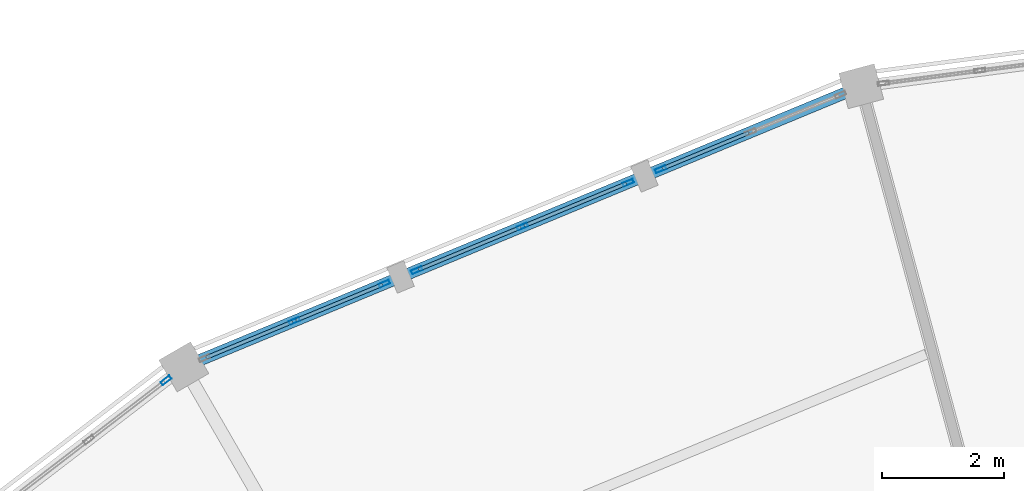
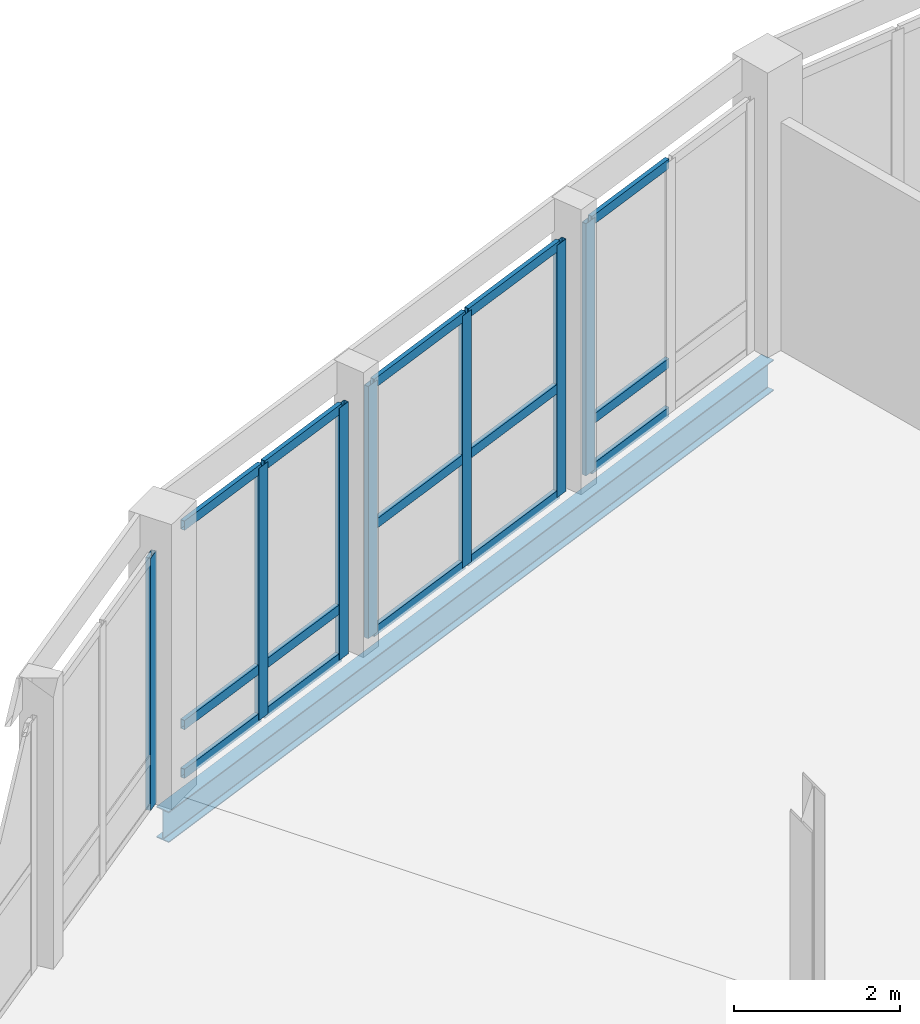
# One storey, part 76 of 170: 22 members, 1 beam, 4 elements without a shape of their own.
"""IFC4 building model written with IfcOpenShell, lengths in metres."""

import ifcopenshell
import ifcopenshell.guid

model = None  # the IFC model being written
_history = None  # IfcOwnerHistory: only IFC2X3 demands one
_inside = {}  # id of a spatial element -> (the spatial element, [elements in it])
_under = {}  # id of a project, library or spatial element -> (it, [spatial elements below it])
_declared = {}  # id of a project -> (the project, [libraries it declares])
_typed = {}  # id of a type object -> (the type object, [elements of that type])
_made_of = {}  # id of a material, layer set ... -> (it, [elements and type objects made of it])


def new_model(schema):
    """Start an empty IFC model of exactly this schema.

    Asked for "IFC4X3", IfcOpenShell would pick the latest addendum, in which some entities
    have other attributes; the version numbers below select the first issue.
    IFC2X3 requires an IfcOwnerHistory on every rooted entity: one is made here for all.
    """
    global model, _history
    if schema == "IFC4X3":
        model = ifcopenshell.file(schema_version=(4, 3, 0, 0))
    else:
        model = ifcopenshell.file(schema=schema)
    _inside.clear()
    _under.clear()
    _declared.clear()
    _typed.clear()
    _made_of.clear()
    _history = None
    if model.schema == "IFC2X3":
        org = make("IfcOrganization", Name="unknown")
        user = make(
            "IfcPersonAndOrganization",
            ThePerson=make("IfcPerson", FamilyName="unknown"),
            TheOrganization=org,
        )
        app = make(
            "IfcApplication",
            ApplicationDeveloper=org,
            Version="unknown",
            ApplicationFullName="unknown",
            ApplicationIdentifier="unknown",
        )
        _history = make(
            "IfcOwnerHistory",
            OwningUser=user,
            OwningApplication=app,
            ChangeAction="ADDED",
            CreationDate=0,
        )
    return model


def make(cls, **values):
    """One entity of the class cls with the attributes given. An attribute that is None is left unset."""
    return model.create_entity(
        cls, **{name: value for name, value in values.items() if value is not None}
    )


def rooted(cls, **values):
    """An entity with a GlobalId (a new one), such as an element, a storey or a relation."""
    return make(cls, GlobalId=ifcopenshell.guid.new(), OwnerHistory=_history, **values)


def si_unit(unit_type, name, prefix=None):
    """IfcSIUnit, for example si_unit("LENGTHUNIT", "METRE", prefix="MILLI")."""
    return make("IfcSIUnit", UnitType=unit_type, Prefix=prefix, Name=name)


def assignment(units):
    """IfcUnitAssignment: the units of a project."""
    return None if units is None else make("IfcUnitAssignment", Units=units)


def point(xyz):
    """IfcCartesianPoint."""
    return None if xyz is None else make("IfcCartesianPoint", Coordinates=xyz)


def direction(xyz):
    """IfcDirection."""
    return None if xyz is None else make("IfcDirection", DirectionRatios=xyz)


def frame(location, z_axis=None, x_axis=None):
    """IfcAxis2Placement3D, a coordinate frame: its origin and axes. An axis left out is left unset."""
    return make(
        "IfcAxis2Placement3D",
        Location=point(location),
        Axis=direction(z_axis),
        RefDirection=direction(x_axis),
    )


def frame_2d(location, x_axis=None):
    """IfcAxis2Placement2D, a coordinate frame in the plane: its origin and x axis."""
    return make(
        "IfcAxis2Placement2D", Location=point(location), RefDirection=direction(x_axis)
    )


def origin():
    """The frame at (0, 0, 0) with its axes left unset."""
    return frame((0.0, 0.0, 0.0))


def origin_2d():
    """The frame at (0, 0) in the plane with its x axis left unset."""
    return frame_2d((0.0, 0.0))


def place(relative_to, where):
    """IfcLocalPlacement: puts the frame where relative to a parent placement (None: the world)."""
    return make(
        "IfcLocalPlacement", PlacementRelTo=relative_to, RelativePlacement=where
    )


def context(
    kind, dimensions, precision=None, world=None, true_north=None, identifier=None
):
    """IfcGeometricRepresentationContext, for example the 3D "Model" context."""
    return make(
        "IfcGeometricRepresentationContext",
        ContextIdentifier=identifier,
        ContextType=kind,
        CoordinateSpaceDimension=dimensions,
        Precision=precision,
        WorldCoordinateSystem=world,
        TrueNorth=true_north,
    )


def subcontext(parent, identifier, kind, view, scale=None):
    """IfcGeometricRepresentationSubContext, for example "Body" below "Model"."""
    return make(
        "IfcGeometricRepresentationSubContext",
        ContextIdentifier=identifier,
        ContextType=kind,
        ParentContext=parent,
        TargetScale=scale,
        TargetView=view,
    )


def project(units=None, contexts=None):
    """IfcProject with its units and contexts."""
    return rooted(
        "IfcProject",
        Name="project",
        RepresentationContexts=contexts,
        UnitsInContext=assignment(units),
    )


def spatial(cls, under=None, at=None, **own):
    """A site, building, storey or space (cls), placed at a placement, below another one or the project."""
    s = rooted(cls, ObjectPlacement=at, **own)
    if under is not None:
        _under.setdefault(under.id(), (under, []))[1].append(s)
    return s


def profile(cls, at=None, kind="AREA", **sizes):
    """A parametric profile (cls). Its sizes go by their IFC names, for example OverallWidth=200.0."""
    return make(cls, ProfileType=kind, Position=at, **sizes)


def hollow_rectangle(**sizes):
    """IfcRectangleHollowProfileDef."""
    return profile("IfcRectangleHollowProfileDef", **sizes)


def i_section(**sizes):
    """IfcIShapeProfileDef."""
    return profile("IfcIShapeProfileDef", **sizes)


def extrude(swept, where, along, depth):
    """IfcExtrudedAreaSolid: the profile swept, set in the frame where, extruded along a direction by depth."""
    return make(
        "IfcExtrudedAreaSolid",
        SweptArea=swept,
        Position=where,
        ExtrudedDirection=direction(along),
        Depth=depth,
    )


def shape(context_of_items, identifier, shape_type, items):
    """IfcShapeRepresentation: the items that make up one representation, for example the "Body"."""
    return make(
        "IfcShapeRepresentation",
        ContextOfItems=context_of_items,
        RepresentationIdentifier=identifier,
        RepresentationType=shape_type,
        Items=items,
    )


def material(Name=None, Category=None):
    """IfcMaterial."""
    return make("IfcMaterial", Name=Name, Category=Category)


def material_profile(
    of_material, cross_section, Name=None, Category=None, Priority=None
):
    """IfcMaterialProfile: a cross section and its material."""
    return make(
        "IfcMaterialProfile",
        Name=Name,
        Material=of_material,
        Profile=cross_section,
        Priority=Priority,
        Category=Category,
    )


def profile_set(profiles, Name=None, composite=None):
    """IfcMaterialProfileSet."""
    return make(
        "IfcMaterialProfileSet",
        Name=Name,
        MaterialProfiles=profiles,
        CompositeProfile=composite,
    )


def made_of(thing, what):
    """Note that an element or type object is made of a material, layer set ...; save() writes the relation."""
    if what is not None:
        _made_of.setdefault(what.id(), (what, []))[1].append(thing)
    return thing


def type_object(cls, material=None, **own):
    """A type object (cls), such as IfcWallType, which elements share."""
    return made_of(rooted(cls, **own), material)


def element(
    cls,
    number,
    at=None,
    inside=None,
    cuts=None,
    type_object=None,
    material=None,
    context=None,
    identifier="Body",
    shape_type=None,
    held_by="IfcProductDefinitionShape",
    body=None,
    shapes=None,
    **own,
):
    """One element of the class cls, such as IfcWall. Its Tag is "e" and its number.

    at: its placement. inside: the storey or other place that contains it. cuts: it is an
    opening in that element (IfcRelVoidsElement). A single representation is given by context,
    identifier, shape_type and body (its items); several are given by shapes. held_by: the class
    of the entity that holds the representations. save() writes the other relations.
    """
    e = rooted(cls, Tag="e%d" % number, ObjectPlacement=at, **own)
    if body is not None:
        shapes = [shape(context, identifier, shape_type, body)]
    if shapes is not None:
        e.Representation = make(held_by, Representations=shapes)
    if inside is not None:
        _inside.setdefault(inside.id(), (inside, []))[1].append(e)
    if cuts is not None:
        rooted(
            "IfcRelVoidsElement", RelatingBuildingElement=cuts, RelatedOpeningElement=e
        )
    if type_object is not None:
        _typed.setdefault(type_object.id(), (type_object, []))[1].append(e)
    return made_of(e, material)


def aggregate(whole, parts):
    """IfcRelAggregates: a whole, such as a stair, and the parts it consists of."""
    return rooted("IfcRelAggregates", RelatingObject=whole, RelatedObjects=parts)


def save(model, path):
    """Write the relations noted so far, then the file.

    IfcRelAggregates (storeys below a building ...), IfcRelContainedInSpatialStructure (elements
    in a storey), IfcRelDefinesByType, IfcRelAssociatesMaterial and IfcRelDeclares: one each for
    every whole, place, type object, material and project.
    """
    for whole, parts in _under.values():
        aggregate(whole, parts)
    for where, things in _inside.values():
        rooted(
            "IfcRelContainedInSpatialStructure",
            RelatedElements=things,
            RelatingStructure=where,
        )
    for kind, things in _typed.values():
        rooted("IfcRelDefinesByType", RelatedObjects=things, RelatingType=kind)
    for what, things in _made_of.values():
        rooted("IfcRelAssociatesMaterial", RelatedObjects=things, RelatingMaterial=what)
    for by, libraries in _declared.values():
        rooted("IfcRelDeclares", RelatingContext=by, RelatedDefinitions=libraries)
    model.write(path)


model = new_model("IFC4")

# Units and contexts
model_context = context("Model", 3, precision=1e-05, world=origin(), true_north=direction((0.0, 1.0)))
body_context = subcontext(model_context, "Body", "Model", "MODEL_VIEW")
ifc_project = project(units=[si_unit("LENGTHUNIT", "METRE"), si_unit("AREAUNIT", "SQUARE_METRE"), si_unit("VOLUMEUNIT", "CUBIC_METRE"), si_unit("PLANEANGLEUNIT", "RADIAN"), si_unit("MASSUNIT", "GRAM", prefix="KILO")], contexts=[model_context])

# Site, building, storey
site_placement = place(None, origin())
site = spatial("IfcSite", under=ifc_project, at=site_placement, CompositionType="ELEMENT")
building_placement = place(site_placement, origin())
building = spatial("IfcBuilding", under=site, at=building_placement, Name="Vondelvale Polytechnic", CompositionType="ELEMENT")
storey_placement = place(building_placement, frame((0.0, 0.0, 5.39990234375)))
storey = spatial("IfcBuildingStorey", under=building, at=storey_placement, Name="L01", CompositionType="ELEMENT", Elevation=5.39990234375)

# Beam
ifc_material_1 = material(Name="Steel 300PLUS (fy = 300 MPa)", Category="steel")
ifc_material_profile_1 = material_profile(ifc_material_1, i_section(OverallWidth=0.18994140625, OverallDepth=0.45703125, WebThickness=0.009033203125, FlangeThickness=0.014404296875, FilletRadius=0.011474609375, at=origin_2d()), Name="460UB74.6")
ifc_profile_set_1 = profile_set([ifc_material_profile_1], Name="Steel 300PLUS (fy = 300 MPa)")
beam_type = type_object("IfcBeamType", Name="BM-UB460", PredefinedType="BEAM", material=ifc_profile_set_1)
beam_placement = place(storey_placement, frame((90.09423828125, 116.4326171875, -0.50830078125), z_axis=(-0.923877323614, -0.382688765072, 0.0), x_axis=(0.382688765072, -0.923877323614, 0.0)))
element("IfcBeam", 1, at=beam_placement, inside=storey, type_object=beam_type, Name="L01 RB B-13", PredefinedType="BEAM", context=body_context, shape_type="SweptSolid", body=[
    extrude(i_section(OverallWidth=0.18994140625, OverallDepth=0.45703125, WebThickness=0.009033203125, FlangeThickness=0.014404296875, FilletRadius=0.011474609375, at=origin_2d()), origin(), (0.0, 0.0, 1.0), 12.00830078125),
])

# Curtain wall, member
ifc_material_2 = material(Name="Glulam GL18 structural Tasmanian oak (fb = 42 MPa)", Category="wood")
curtain_wall_type = type_object("IfcCurtainWallType", Name="CW-RING-OUTER", PredefinedType="NOTDEFINED", material=ifc_material_2)
curtain_wall_1_placement = place(storey_placement, origin())
curtain_wall_1 = element("IfcCurtainWall", 2, at=curtain_wall_1_placement, inside=storey, type_object=curtain_wall_type, Name="L01 architectural curtain wall CW-04-176", PredefinedType="NOTDEFINED")
ifc_material_3 = material(Name="Anodised extruded aluminium 6063-T6", Category="aluminium")
ifc_material_profile_2 = material_profile(ifc_material_3, hollow_rectangle(XDim=0.06494140625, YDim=0.179931640625, WallThickness=0.00390625, at=origin_2d()), Name="CW-MUL-180x65")
ifc_profile_set_2 = profile_set([ifc_material_profile_2], Name="Anodised extruded aluminium 6063-T6")
member_type_1 = type_object("IfcMemberType", Name="CW-MUL-65x180", PredefinedType="MULLION", material=ifc_profile_set_2)
member_1_placement = place(storey_placement, frame((86.809814453125, 115.072021484375, 0.0), z_axis=(0.0, 0.0, 1.0), x_axis=(0.382677394529, -0.923882033442, 0.0)))
member_1 = element("IfcMember", 3, at=member_1_placement, type_object=member_type_1, Name="CW-04-176 mullion 3", PredefinedType="MULLION", context=body_context, shape_type="SweptSolid", body=[
    extrude(hollow_rectangle(XDim=0.06494140625, YDim=0.179931640625, WallThickness=0.00390625, at=origin_2d()), origin(), (0.0, 0.0, 1.0), 3.72021484375),
])

# Curtain wall, members
curtain_wall_2_placement = place(storey_placement, origin())
curtain_wall_2 = element("IfcCurtainWall", 4, at=curtain_wall_2_placement, inside=storey, type_object=curtain_wall_type, Name="L01 architectural curtain wall CW-04-177", PredefinedType="NOTDEFINED")
member_2_placement = place(storey_placement, frame((86.278564453125, 114.85205078125, 0.0), z_axis=(0.0, 0.0, 1.0), x_axis=(0.382694599123, -0.92387490701, 0.0)))
member_2 = element("IfcMember", 5, at=member_2_placement, type_object=member_type_1, Name="CW-04-177 mullion 1", PredefinedType="MULLION", context=body_context, shape_type="SweptSolid", body=[
    extrude(hollow_rectangle(XDim=0.06494140625, YDim=0.179931640625, WallThickness=0.00390625, at=origin_2d()), origin(), (0.0, 0.0, 1.0), 3.72021484375),
])
member_3_placement = place(storey_placement, frame((84.547119140625, 114.135009765625, 0.0), z_axis=(0.0, 0.0, 1.0), x_axis=(0.382694599123, -0.92387490701, 0.0)))
member_3 = element("IfcMember", 6, at=member_3_placement, type_object=member_type_1, Name="CW-04-177 mullion 2", PredefinedType="MULLION", context=body_context, shape_type="SweptSolid", body=[
    extrude(hollow_rectangle(XDim=0.06494140625, YDim=0.179931640625, WallThickness=0.00390625, at=origin_2d()), origin(), (0.0, 0.0, 1.0), 3.72021484375),
])
member_4_placement = place(storey_placement, frame((82.81591796875, 113.417724609375, 0.0), z_axis=(0.0, 0.0, 1.0), x_axis=(0.382694599123, -0.92387490701, 0.0)))
member_4 = element("IfcMember", 7, at=member_4_placement, type_object=member_type_1, Name="CW-04-177 mullion 3", PredefinedType="MULLION", context=body_context, shape_type="SweptSolid", body=[
    extrude(hollow_rectangle(XDim=0.06494140625, YDim=0.179931640625, WallThickness=0.00390625, at=origin_2d()), origin(), (0.0, 0.0, 1.0), 3.72021484375),
])

curtain_wall_3_placement = place(storey_placement, origin())
curtain_wall_3 = element("IfcCurtainWall", 8, at=curtain_wall_3_placement, inside=storey, type_object=curtain_wall_type, Name="L01 architectural curtain wall CW-04-178", PredefinedType="NOTDEFINED")
member_5_placement = place(storey_placement, frame((82.28466796875, 113.19775390625, 0.0), z_axis=(0.0, 0.0, 1.0), x_axis=(0.382677394529, -0.923882033442, 0.0)))
member_5 = element("IfcMember", 9, at=member_5_placement, type_object=member_type_1, Name="CW-04-178 mullion 1", PredefinedType="MULLION", context=body_context, shape_type="SweptSolid", body=[
    extrude(hollow_rectangle(XDim=0.06494140625, YDim=0.179931640625, WallThickness=0.00390625, at=origin_2d()), origin(), (0.0, 0.0, 1.0), 3.72021484375),
])
member_6_placement = place(storey_placement, frame((80.81103515625, 112.58740234375, 0.0), z_axis=(0.0, 0.0, 1.0), x_axis=(0.382677394529, -0.923882033442, 0.0)))
member_6 = element("IfcMember", 10, at=member_6_placement, type_object=member_type_1, Name="CW-04-178 mullion 2", PredefinedType="MULLION", context=body_context, shape_type="SweptSolid", body=[
    extrude(hollow_rectangle(XDim=0.06494140625, YDim=0.179931640625, WallThickness=0.00390625, at=origin_2d()), origin(), (0.0, 0.0, 1.0), 3.72021484375),
])

# Curtain wall, member
curtain_wall_4_placement = place(storey_placement, origin())
curtain_wall_4 = element("IfcCurtainWall", 11, at=curtain_wall_4_placement, inside=storey, type_object=curtain_wall_type, Name="L01 architectural curtain wall CW-04-195", PredefinedType="NOTDEFINED")
member_7_placement = place(storey_placement, frame((78.710205078125, 111.614990234375, 0.0), z_axis=(0.0, 0.0, 1.0), x_axis=(0.608786860133, -0.793333825656, 0.0)))
member_7 = element("IfcMember", 12, at=member_7_placement, type_object=member_type_1, Name="CW-04-195 mullion 1", PredefinedType="MULLION", context=body_context, shape_type="SweptSolid", body=[
    extrude(hollow_rectangle(XDim=0.06494140625, YDim=0.179931640625, WallThickness=0.00390625, at=origin_2d()), origin(), (0.0, 0.0, 1.0), 3.72021484375),
])
aggregate(curtain_wall_4, [member_7])

# Member
ifc_material_profile_3 = material_profile(ifc_material_3, hollow_rectangle(XDim=0.06005859375, YDim=0.139892578125, WallThickness=0.00341796875, at=origin_2d()), Name="CW-TRN-140x60")
ifc_profile_set_3 = profile_set([ifc_material_profile_3], Name="Anodised extruded aluminium 6063-T6")
member_type_2 = type_object("IfcMemberType", Name="CW-TRN-60x140", PredefinedType="USERDEFINED", material=ifc_profile_set_3)
member_8_placement = place(storey_placement, frame((88.253173828125, 115.670166015625, 0.030029296875), z_axis=(-0.923816459452, -0.382835668721, 0.0), x_axis=(0.382835668721, -0.923816459452, 0.0)))
member_8 = element("IfcMember", 13, at=member_8_placement, type_object=member_type_2, Name="CW-04-176 transom 2.1", ObjectType="TRANSOM", PredefinedType="USERDEFINED", context=body_context, shape_type="SweptSolid", body=[
    extrude(hollow_rectangle(XDim=0.06005859375, YDim=0.139892578125, WallThickness=0.00341796875, at=origin_2d()), origin(), (0.0, 0.0, 1.0), 1.52978515625),
])

member_9_placement = place(storey_placement, frame((88.253173828125, 115.670166015625, 0.75), z_axis=(-0.923816459452, -0.382835668721, 0.0), x_axis=(0.382835668721, -0.923816459452, 0.0)))
member_9 = element("IfcMember", 14, at=member_9_placement, type_object=member_type_2, Name="CW-04-176 transom 2.2", ObjectType="TRANSOM", PredefinedType="USERDEFINED", context=body_context, shape_type="SweptSolid", body=[
    extrude(hollow_rectangle(XDim=0.06005859375, YDim=0.139892578125, WallThickness=0.00341796875, at=origin_2d()), origin(), (0.0, 0.0, 1.0), 1.52978515625),
])

member_10_placement = place(storey_placement, frame((88.253173828125, 115.670166015625, 3.690185546875), z_axis=(-0.923816459452, -0.382835668721, 0.0), x_axis=(0.382835668721, -0.923816459452, 0.0)))
member_10 = element("IfcMember", 15, at=member_10_placement, type_object=member_type_2, Name="CW-04-176 transom 2.3", ObjectType="TRANSOM", PredefinedType="USERDEFINED", context=body_context, shape_type="SweptSolid", body=[
    extrude(hollow_rectangle(XDim=0.06005859375, YDim=0.139892578125, WallThickness=0.00341796875, at=origin_2d()), origin(), (0.0, 0.0, 1.0), 1.52978515625),
])

aggregate(curtain_wall_1, [member_1, member_8, member_9, member_10])

member_11_placement = place(storey_placement, frame((86.24853515625, 114.839599609375, 0.030029296875), z_axis=(-0.923865506878, -0.382717291485, 0.0), x_axis=(0.382717291485, -0.923865506878, 0.0)))
member_11 = element("IfcMember", 16, at=member_11_placement, type_object=member_type_2, Name="CW-04-177 transom 1.1", ObjectType="TRANSOM", PredefinedType="USERDEFINED", context=body_context, shape_type="SweptSolid", body=[
    extrude(hollow_rectangle(XDim=0.06005859375, YDim=0.139892578125, WallThickness=0.00341796875, at=origin_2d()), origin(), (0.0, 0.0, 1.0), 1.80908203125),
])

member_12_placement = place(storey_placement, frame((86.24853515625, 114.839599609375, 1.60009765625), z_axis=(-0.923865506878, -0.382717291485, 0.0), x_axis=(0.382717291485, -0.923865506878, 0.0)))
member_12 = element("IfcMember", 17, at=member_12_placement, type_object=member_type_2, Name="CW-04-177 transom 1.2", ObjectType="TRANSOM", PredefinedType="USERDEFINED", context=body_context, shape_type="SweptSolid", body=[
    extrude(hollow_rectangle(XDim=0.06005859375, YDim=0.139892578125, WallThickness=0.00341796875, at=origin_2d()), origin(), (0.0, 0.0, 1.0), 1.80908203125),
])

member_13_placement = place(storey_placement, frame((86.24853515625, 114.839599609375, 3.690185546875), z_axis=(-0.923865506878, -0.382717291485, 0.0), x_axis=(0.382717291485, -0.923865506878, 0.0)))
member_13 = element("IfcMember", 18, at=member_13_placement, type_object=member_type_2, Name="CW-04-177 transom 1.3", ObjectType="TRANSOM", PredefinedType="USERDEFINED", context=body_context, shape_type="SweptSolid", body=[
    extrude(hollow_rectangle(XDim=0.06005859375, YDim=0.139892578125, WallThickness=0.00341796875, at=origin_2d()), origin(), (0.0, 0.0, 1.0), 1.80908203125),
])

member_14_placement = place(storey_placement, frame((84.51708984375, 114.12255859375, 0.030029296875), z_axis=(-0.92384573676, -0.382765012338, 0.0), x_axis=(0.382765012338, -0.92384573676, 0.0)))
member_14 = element("IfcMember", 19, at=member_14_placement, type_object=member_type_2, Name="CW-04-177 transom 2.1", ObjectType="TRANSOM", PredefinedType="USERDEFINED", context=body_context, shape_type="SweptSolid", body=[
    extrude(hollow_rectangle(XDim=0.06005859375, YDim=0.139892578125, WallThickness=0.00341796875, at=origin_2d()), origin(), (0.0, 0.0, 1.0), 1.808837890625),
])

member_15_placement = place(storey_placement, frame((84.51708984375, 114.12255859375, 1.60009765625), z_axis=(-0.92384573676, -0.382765012338, 0.0), x_axis=(0.382765012338, -0.92384573676, 0.0)))
member_15 = element("IfcMember", 20, at=member_15_placement, type_object=member_type_2, Name="CW-04-177 transom 2.2", ObjectType="TRANSOM", PredefinedType="USERDEFINED", context=body_context, shape_type="SweptSolid", body=[
    extrude(hollow_rectangle(XDim=0.06005859375, YDim=0.139892578125, WallThickness=0.00341796875, at=origin_2d()), origin(), (0.0, 0.0, 1.0), 1.808837890625),
])

member_16_placement = place(storey_placement, frame((84.51708984375, 114.12255859375, 3.690185546875), z_axis=(-0.92384573676, -0.382765012338, 0.0), x_axis=(0.382765012338, -0.92384573676, 0.0)))
member_16 = element("IfcMember", 21, at=member_16_placement, type_object=member_type_2, Name="CW-04-177 transom 2.3", ObjectType="TRANSOM", PredefinedType="USERDEFINED", context=body_context, shape_type="SweptSolid", body=[
    extrude(hollow_rectangle(XDim=0.06005859375, YDim=0.139892578125, WallThickness=0.00341796875, at=origin_2d()), origin(), (0.0, 0.0, 1.0), 1.808837890625),
])

aggregate(curtain_wall_2, [member_2, member_3, member_4, member_11, member_12, member_13, member_14, member_15, member_16])

member_17_placement = place(storey_placement, frame((82.254638671875, 113.185302734375, 0.030029296875), z_axis=(-0.923896260346, -0.382643045304, 0.0), x_axis=(0.382643045304, -0.923896260346, 0.0)))
member_17 = element("IfcMember", 22, at=member_17_placement, type_object=member_type_2, Name="CW-04-178 transom 1.1", ObjectType="TRANSOM", PredefinedType="USERDEFINED", context=body_context, shape_type="SweptSolid", body=[
    extrude(hollow_rectangle(XDim=0.06005859375, YDim=0.139892578125, WallThickness=0.00341796875, at=origin_2d()), origin(), (0.0, 0.0, 1.0), 1.530029296875),
])

member_18_placement = place(storey_placement, frame((82.254638671875, 113.185302734375, 0.75), z_axis=(-0.923896260346, -0.382643045304, 0.0), x_axis=(0.382643045304, -0.923896260346, 0.0)))
member_18 = element("IfcMember", 23, at=member_18_placement, type_object=member_type_2, Name="CW-04-178 transom 1.2", ObjectType="TRANSOM", PredefinedType="USERDEFINED", context=body_context, shape_type="SweptSolid", body=[
    extrude(hollow_rectangle(XDim=0.06005859375, YDim=0.139892578125, WallThickness=0.00341796875, at=origin_2d()), origin(), (0.0, 0.0, 1.0), 1.530029296875),
])

member_19_placement = place(storey_placement, frame((82.254638671875, 113.185302734375, 3.690185546875), z_axis=(-0.923896260346, -0.382643045304, 0.0), x_axis=(0.382643045304, -0.923896260346, 0.0)))
member_19 = element("IfcMember", 24, at=member_19_placement, type_object=member_type_2, Name="CW-04-178 transom 1.3", ObjectType="TRANSOM", PredefinedType="USERDEFINED", context=body_context, shape_type="SweptSolid", body=[
    extrude(hollow_rectangle(XDim=0.06005859375, YDim=0.139892578125, WallThickness=0.00341796875, at=origin_2d()), origin(), (0.0, 0.0, 1.0), 1.530029296875),
])

member_20_placement = place(storey_placement, frame((80.781005859375, 112.574951171875, 0.030029296875), z_axis=(-0.923839843027, -0.382779237206, 0.0), x_axis=(0.382779237206, -0.923839843027, 0.0)))
member_20 = element("IfcMember", 25, at=member_20_placement, type_object=member_type_2, Name="CW-04-178 transom 2.1", ObjectType="TRANSOM", PredefinedType="USERDEFINED", context=body_context, shape_type="SweptSolid", body=[
    extrude(hollow_rectangle(XDim=0.06005859375, YDim=0.139892578125, WallThickness=0.00341796875, at=origin_2d()), origin(), (0.0, 0.0, 1.0), 1.530029296875),
])

member_21_placement = place(storey_placement, frame((80.781005859375, 112.574951171875, 0.75), z_axis=(-0.923839843027, -0.382779237206, 0.0), x_axis=(0.382779237206, -0.923839843027, 0.0)))
member_21 = element("IfcMember", 26, at=member_21_placement, type_object=member_type_2, Name="CW-04-178 transom 2.2", ObjectType="TRANSOM", PredefinedType="USERDEFINED", context=body_context, shape_type="SweptSolid", body=[
    extrude(hollow_rectangle(XDim=0.06005859375, YDim=0.139892578125, WallThickness=0.00341796875, at=origin_2d()), origin(), (0.0, 0.0, 1.0), 1.530029296875),
])

member_22_placement = place(storey_placement, frame((80.781005859375, 112.574951171875, 3.690185546875), z_axis=(-0.923839843027, -0.382779237206, 0.0), x_axis=(0.382779237206, -0.923839843027, 0.0)))
member_22 = element("IfcMember", 27, at=member_22_placement, type_object=member_type_2, Name="CW-04-178 transom 2.3", ObjectType="TRANSOM", PredefinedType="USERDEFINED", context=body_context, shape_type="SweptSolid", body=[
    extrude(hollow_rectangle(XDim=0.06005859375, YDim=0.139892578125, WallThickness=0.00341796875, at=origin_2d()), origin(), (0.0, 0.0, 1.0), 1.530029296875),
])

aggregate(curtain_wall_3, [member_5, member_6, member_17, member_18, member_19, member_20, member_21, member_22])

save(model, "model.ifc")
